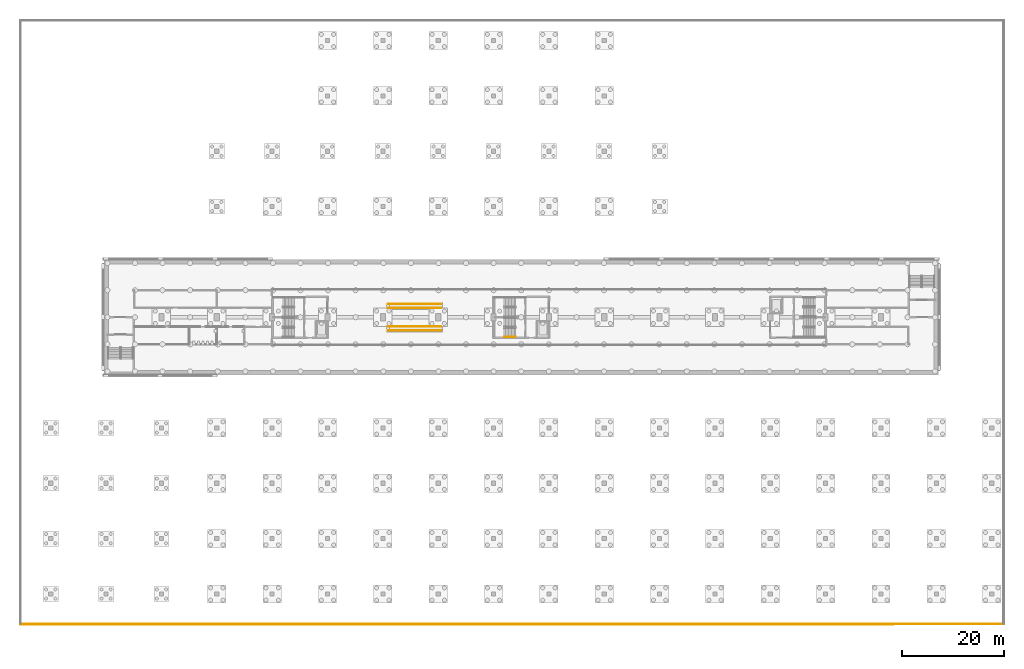
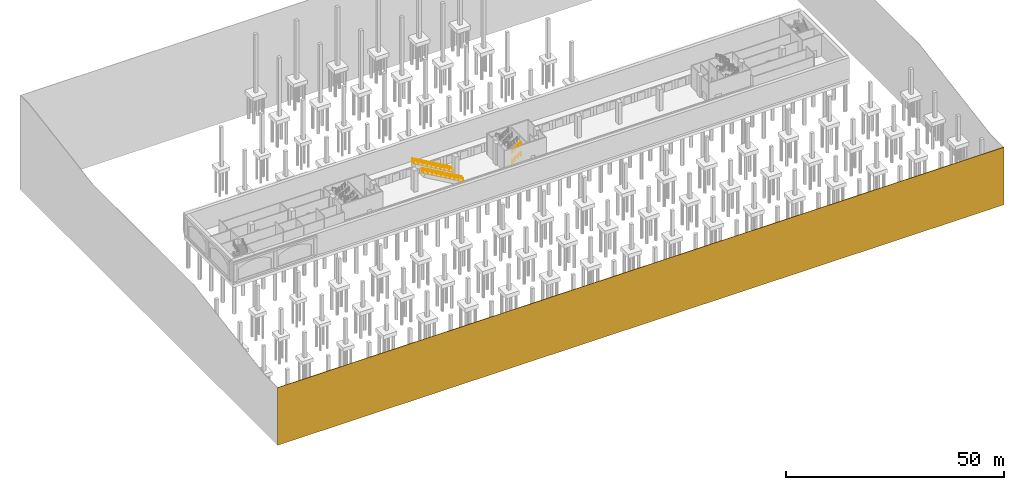
# One storey, part 32 of 39: 6 railings, 1 covering.
"""IFC4 building model written with IfcOpenShell, lengths in metres."""

from ifc_helpers import new_model, si_unit, direction, frame, frame_2d, origin, origin_2d, place, context, subcontext, project, spatial, rectangle, circle, extrude, material, layer, layer_set, type_object, element, save


model = new_model("IFC4")

# Units and contexts
model_context = context("Model", 3, precision=1e-05, world=origin(), true_north=direction((0.0, 1.0)))
body_context = subcontext(model_context, "Body", "Model", "MODEL_VIEW")
ifc_project = project(units=[si_unit("LENGTHUNIT", "METRE"), si_unit("AREAUNIT", "SQUARE_METRE"), si_unit("VOLUMEUNIT", "CUBIC_METRE"), si_unit("PLANEANGLEUNIT", "RADIAN"), si_unit("MASSUNIT", "GRAM", prefix="KILO")], contexts=[model_context])

# Site, building, storey
site_placement = place(None, origin())
site = spatial("IfcSite", under=ifc_project, at=site_placement, CompositionType="ELEMENT")
building_placement = place(site_placement, origin())
building = spatial("IfcBuilding", under=site, at=building_placement, Name="Magnolia Steps Interchange", CompositionType="ELEMENT")
storey_placement = place(building_placement, frame((0.0, 0.0, -11.39990234375)))
storey = spatial("IfcBuildingStorey", under=building, at=storey_placement, Name="B2", CompositionType="ELEMENT", Elevation=-11.39990234375)

# Covering
ifc_material_1 = material(Name="Compacted earth and rock face")
ifc_layer = layer(ifc_material_1, 0.14990234375)
ifc_layer_set = layer_set([ifc_layer], Name="Earth retaining face 150")
covering_type = type_object("IfcCoveringType", Name="Earth retaining face 150", PredefinedType="CLADDING", material=ifc_layer_set)
covering_placement = place(storey_placement, frame((4.0, 4.074951171875, -10.10009765625), z_axis=(0.0, 0.0, 1.0), x_axis=(1.0, 0.0, 0.0)))
element("IfcCovering", 1, at=covering_placement, inside=storey, type_object=covering_type, Name="Earth retaining face south", PredefinedType="CLADDING", context=body_context, shape_type="SweptSolid", body=[
    extrude(rectangle(XDim=192.0, YDim=0.14990234375, at=frame_2d((96.0, 0.0))), origin(), (0.0, 0.0, 1.0), 16.10009765625),
])

# Railings
ifc_material_2 = material(Name="Toughened glass", Category="glass")
railing_type_1 = type_object("IfcRailingType", Name="Escalator balustrade", PredefinedType="BALUSTRADE", material=ifc_material_2)
for number, where, name in (
    (2, (75.72998046875, 61.39990234375, 6.0), "Escalator balustrade EV2 1L"),
    (3, (75.72998046875, 62.199951171875, 6.0), "Escalator balustrade EV2 1R"),
    (4, (75.72998046875, 65.800048828125, 6.0), "Escalator balustrade EV2 2L"),
    (5, (75.72998046875, 66.60009765625, 6.0), "Escalator balustrade EV2 2R"),
):
    element("IfcRailing", number, at=place(storey_placement, frame(where)), inside=storey, type_object=railing_type_1, Name=name, PredefinedType="BALUSTRADE", context=body_context, shape_type="SweptSolid", body=[
        extrude(circle(Radius=0.02392578125, at=origin_2d()), frame((0.0, 0.0, 0.97607421875), z_axis=(0.867474754848, 0.0, -0.497481205375), x_axis=(0.0, 1.0, 0.0)), (0.0, 0.0, 1.0), 12.060791015625),
        extrude(circle(Radius=0.02099609375, at=origin_2d()), origin(), (0.0, 0.0, 1.0), 0.951904296875),
        extrude(circle(Radius=0.02099609375, at=origin_2d()), frame((1.16259765625, 0.0, -0.666748046875)), (0.0, 0.0, 1.0), 0.951904296875),
        extrude(circle(Radius=0.02099609375, at=origin_2d()), frame((2.324951171875, 0.0, -1.333251953125)), (0.0, 0.0, 1.0), 0.951904296875),
        extrude(circle(Radius=0.02099609375, at=origin_2d()), frame((3.487548828125, 0.0, -2.0)), (0.0, 0.0, 1.0), 0.951904296875),
        extrude(circle(Radius=0.02099609375, at=origin_2d()), frame((4.64990234375, 0.0, -2.666748046875)), (0.0, 0.0, 1.0), 0.951904296875),
        extrude(circle(Radius=0.02099609375, at=origin_2d()), frame((5.8125, 0.0, -3.333251953125)), (0.0, 0.0, 1.0), 0.951904296875),
        extrude(circle(Radius=0.02099609375, at=origin_2d()), frame((6.974853515625, 0.0, -4.0)), (0.0, 0.0, 1.0), 0.951904296875),
        extrude(circle(Radius=0.02099609375, at=origin_2d()), frame((8.137451171875, 0.0, -4.666748046875)), (0.0, 0.0, 1.0), 0.951904296875),
        extrude(circle(Radius=0.02099609375, at=origin_2d()), frame((9.2998046875, 0.0, -5.333251953125)), (0.0, 0.0, 1.0), 0.951904296875),
        extrude(circle(Radius=0.02099609375, at=origin_2d()), frame((10.46240234375, 0.0, -6.0)), (0.0, 0.0, 1.0), 0.951904296875),
    ])
ifc_material_3 = material(Name="Stainless steel grade 304", Category="steel")
railing_type_2 = type_object("IfcRailingType", Name="Stair handrail 900", PredefinedType="HANDRAIL", material=ifc_material_3)
for number, where, name in (
    (6, (98.485107421875, 60.14892578125, 1.66650390625), "B2 ST11 stair handrail 2"),
    (7, (98.485107421875, 60.14892578125, 4.66650390625), "B2 ST11 stair handrail 4"),
):
    element("IfcRailing", number, at=place(storey_placement, frame(where)), inside=storey, type_object=railing_type_2, Name=name, PredefinedType="HANDRAIL", context=body_context, shape_type="SweptSolid", body=[
        extrude(circle(Radius=0.02392578125, at=origin_2d()), frame((0.0, 0.0, 0.8759765625), z_axis=(0.859264461869, 0.0, 0.511531606619), x_axis=(0.0, 1.0, 0.0)), (0.0, 0.0, 1.0), 2.60693359375),
        extrude(circle(Radius=0.02099609375, at=origin_2d()), origin(), (0.0, 0.0, 1.0), 0.851806640625),
        extrude(circle(Radius=0.02099609375, at=origin_2d()), frame((0.74658203125, 0.0, 0.444580078125)), (0.0, 0.0, 1.0), 0.851806640625),
        extrude(circle(Radius=0.02099609375, at=origin_2d()), frame((1.493408203125, 0.0, 0.888916015625)), (0.0, 0.0, 1.0), 0.851806640625),
        extrude(circle(Radius=0.02099609375, at=origin_2d()), frame((2.239990234375, 0.0, 1.33349609375)), (0.0, 0.0, 1.0), 0.851806640625),
    ])

save(model, "model.ifc")
